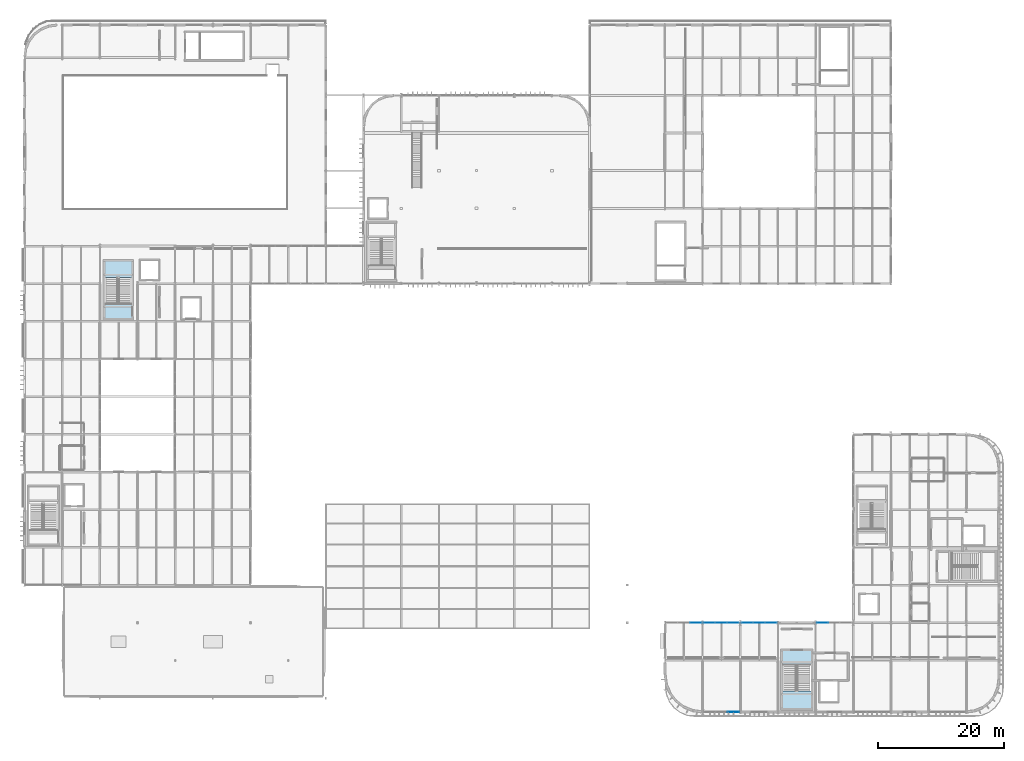
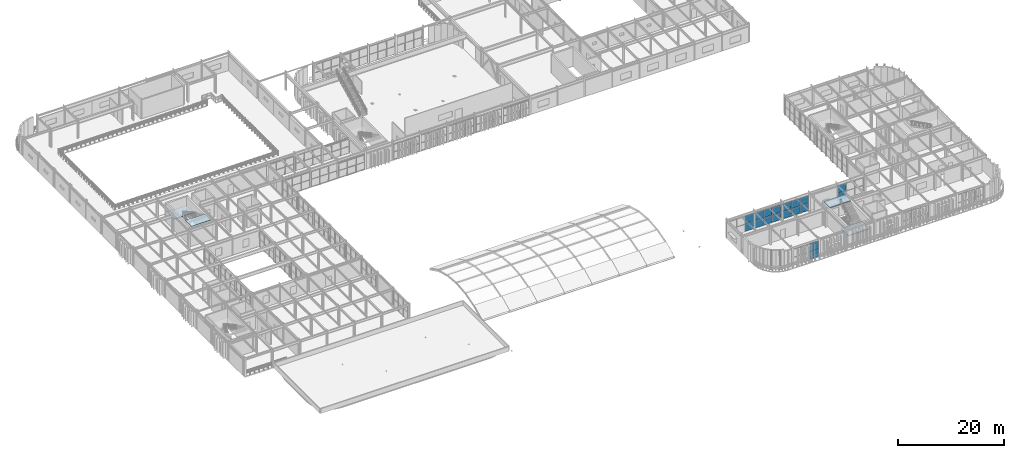
# One storey, part 48 of 84: 18 plates, 4 slabs, 7 elements without a shape of their own.
"""IFC4 building model written with IfcOpenShell, lengths in metres."""

from ifc_helpers import new_model, si_unit, direction, frame, origin, origin_2d, place, context, subcontext, project, spatial, polyline, rectangle, outline, extrude, material, layer, layer_set, type_object, element, aggregate, save


model = new_model("IFC4")

# Units and contexts
model_context = context("Model", 3, precision=1e-05, world=origin(), true_north=direction((0.0, 1.0)))
body_context = subcontext(model_context, "Body", "Model", "MODEL_VIEW")
ifc_project = project(units=[si_unit("LENGTHUNIT", "METRE"), si_unit("AREAUNIT", "SQUARE_METRE"), si_unit("VOLUMEUNIT", "CUBIC_METRE"), si_unit("PLANEANGLEUNIT", "RADIAN"), si_unit("MASSUNIT", "GRAM", prefix="KILO")], contexts=[model_context])

# Site, building, storey
site_placement = place(None, origin())
site = spatial("IfcSite", under=ifc_project, at=site_placement, CompositionType="ELEMENT")
building_placement = place(site_placement, origin())
building = spatial("IfcBuilding", under=site, at=building_placement, Name="Varnakota Square Police Headquarters", CompositionType="ELEMENT")
storey_placement = place(building_placement, frame((0.0, 0.0, 13.5)))
storey = spatial("IfcBuildingStorey", under=building, at=storey_placement, Name="L03", CompositionType="ELEMENT", Elevation=13.5)

# Curtain wall, plate
ifc_material_1 = material(Name="Anodised Aluminium Framing", Category="aluminium")
curtain_wall_type_1 = type_object("IfcCurtainWallType", Name="CW-SYS-D", PredefinedType="NOTDEFINED", material=ifc_material_1)
curtain_wall_1_placement = place(storey_placement, origin())
curtain_wall_1 = element("IfcCurtainWall", 1, at=curtain_wall_1_placement, inside=storey, type_object=curtain_wall_type_1, Name="Unitised curtain wall CWG-L03-083", PredefinedType="NOTDEFINED")
ifc_material_2 = material(Name="Solar-Control Laminated Double Glazing", Category="glass")
ifc_layer_1 = layer(ifc_material_2, 0.028076171875, Name="Solar-Control Laminated Double Glazing")
ifc_layer_set_1 = layer_set([ifc_layer_1], Name="Solar-Control Laminated Double Glazing")
plate_type_1 = type_object("IfcPlateType", Name="CWP-GLZ-28", PredefinedType="CURTAIN_PANEL", material=ifc_layer_set_1)
plate_1_placement = place(storey_placement, frame((133.080322265625, 15.0, 0.06494140625), z_axis=(0.0, 0.0, 1.0), x_axis=(1.0, 0.0, 0.0)))
plate_1 = element("IfcPlate", 2, at=plate_1_placement, type_object=plate_type_1, Name="CWG-L03-083 panel 1.1", PredefinedType="CURTAIN_PANEL", context=body_context, shape_type="SweptSolid", body=[
    extrude(rectangle(XDim=1.810791015625, YDim=0.028076171875, at=origin_2d()), origin(), (0.0, 0.0, 1.0), 1.697509765625),
])

curtain_wall_2_placement = place(storey_placement, origin())
curtain_wall_2 = element("IfcCurtainWall", 3, at=curtain_wall_2_placement, inside=storey, type_object=curtain_wall_type_1, Name="Unitised curtain wall CWG-L03-080", PredefinedType="NOTDEFINED")
ifc_material_3 = material(Name="Acoustic Laminated Double Glazing", Category="glass")
ifc_layer_2 = layer(ifc_material_3, 0.031982421875, Name="Acoustic Laminated Double Glazing")
ifc_layer_set_2 = layer_set([ifc_layer_2], Name="Acoustic Laminated Double Glazing")
plate_type_2 = type_object("IfcPlateType", Name="CWP-GLZ-32", PredefinedType="CURTAIN_PANEL", material=ifc_layer_set_2)
plate_2_placement = place(storey_placement, frame((112.913818359375, 15.0, 0.06494140625), z_axis=(0.0, 0.0, 1.0), x_axis=(1.0, 0.0, 0.0)))
plate_2 = element("IfcPlate", 4, at=plate_2_placement, type_object=plate_type_2, Name="CWG-L03-080 panel 3.1", PredefinedType="CURTAIN_PANEL", context=body_context, shape_type="SweptSolid", body=[
    extrude(rectangle(XDim=1.822509765625, YDim=0.031982421875, at=origin_2d()), origin(), (0.0, 0.0, 1.0), 1.74755859375),
])

curtain_wall_type_2 = type_object("IfcCurtainWallType", Name="CW-SYS-C", PredefinedType="NOTDEFINED", material=ifc_material_1)
curtain_wall_3_placement = place(storey_placement, origin())
curtain_wall_3 = element("IfcCurtainWall", 5, at=curtain_wall_3_placement, inside=storey, type_object=curtain_wall_type_2, Name="Unitised curtain wall CWG-L03-077", PredefinedType="NOTDEFINED")
ifc_material_4 = material(Name="Blast-Resistant Laminated Glazing", Category="glass")
ifc_layer_3 = layer(ifc_material_4, 0.035888671875, Name="Blast-Resistant Laminated Glazing")
ifc_layer_set_3 = layer_set([ifc_layer_3], Name="Blast-Resistant Laminated Glazing")
plate_type_3 = type_object("IfcPlateType", Name="CWP-GLZ-36", PredefinedType="CURTAIN_PANEL", material=ifc_layer_set_3)
plate_3_placement = place(storey_placement, frame((118.90283203125, 0.800048828125, 0.06494140625), z_axis=(0.0, 0.0, 1.0), x_axis=(1.0, 0.0, 0.0)))
plate_3 = element("IfcPlate", 6, at=plate_3_placement, type_object=plate_type_3, Name="CWG-L03-077 panel 3.1", PredefinedType="CURTAIN_PANEL", context=body_context, shape_type="SweptSolid", body=[
    extrude(rectangle(XDim=1.80419921875, YDim=0.035888671875, at=origin_2d()), origin(), (0.0, 0.0, 1.0), 1.822509765625),
])

# Curtain wall, plates
curtain_wall_4_placement = place(storey_placement, origin())
curtain_wall_4 = element("IfcCurtainWall", 7, at=curtain_wall_4_placement, inside=storey, type_object=curtain_wall_type_1, Name="Unitised curtain wall CWG-L03-081", PredefinedType="NOTDEFINED")
plate_4_placement = place(storey_placement, frame((115.080322265625, 15.0, 0.06494140625), z_axis=(0.0, 0.0, 1.0), x_axis=(1.0, 0.0, 0.0)))
plate_4 = element("IfcPlate", 8, at=plate_4_placement, type_object=plate_type_3, Name="CWG-L03-081 panel 1.1", PredefinedType="CURTAIN_PANEL", context=body_context, shape_type="SweptSolid", body=[
    extrude(rectangle(XDim=1.810791015625, YDim=0.035888671875, at=origin_2d()), origin(), (0.0, 0.0, 1.0), 1.697509765625),
])
plate_5_placement = place(storey_placement, frame((116.972412109375, 15.0, 0.06494140625), z_axis=(0.0, 0.0, 1.0), x_axis=(1.0, 0.0, 0.0)))
plate_5 = element("IfcPlate", 9, at=plate_5_placement, type_object=plate_type_3, Name="CWG-L03-081 panel 2.1", PredefinedType="CURTAIN_PANEL", context=body_context, shape_type="SweptSolid", body=[
    extrude(rectangle(XDim=1.84326171875, YDim=0.035888671875, at=origin_2d()), origin(), (0.0, 0.0, 1.0), 1.697509765625),
])
plate_6_placement = place(storey_placement, frame((118.864501953125, 15.0, 0.06494140625), z_axis=(0.0, 0.0, 1.0), x_axis=(1.0, 0.0, 0.0)))
plate_6 = element("IfcPlate", 10, at=plate_6_placement, type_object=plate_type_3, Name="CWG-L03-081 panel 3.1", PredefinedType="CURTAIN_PANEL", context=body_context, shape_type="SweptSolid", body=[
    extrude(rectangle(XDim=1.810791015625, YDim=0.035888671875, at=origin_2d()), origin(), (0.0, 0.0, 1.0), 1.697509765625),
])

curtain_wall_5_placement = place(storey_placement, origin())
curtain_wall_5 = element("IfcCurtainWall", 11, at=curtain_wall_5_placement, inside=storey, type_object=curtain_wall_type_1, Name="Unitised curtain wall CWG-L03-082", PredefinedType="NOTDEFINED")
ifc_material_5 = material(Name="Triple-Glazed Clean-Lab Vision Unit", Category="aluminium")
ifc_layer_4 = layer(ifc_material_5, 0.0419921875, Name="Triple-Glazed Clean-Lab Vision Unit")
ifc_layer_set_4 = layer_set([ifc_layer_4], Name="Triple-Glazed Clean-Lab Vision Unit")
plate_type_4 = type_object("IfcPlateType", Name="CWP-GLZ-42", PredefinedType="CURTAIN_PANEL", material=ifc_layer_set_4)
plate_7_placement = place(storey_placement, frame((121.132080078125, 15.0, 0.06494140625), z_axis=(0.0, 0.0, 1.0), x_axis=(1.0, 0.0, 0.0)))
plate_7 = element("IfcPlate", 12, at=plate_7_placement, type_object=plate_type_4, Name="CWG-L03-082 panel 1.1", PredefinedType="CURTAIN_PANEL", context=body_context, shape_type="SweptSolid", body=[
    extrude(rectangle(XDim=1.80419921875, YDim=0.0419921875, at=origin_2d()), origin(), (0.0, 0.0, 1.0), 1.697509765625),
])
plate_8_placement = place(storey_placement, frame((123.017578125, 15.0, 0.06494140625), z_axis=(0.0, 0.0, 1.0), x_axis=(1.0, 0.0, 0.0)))
plate_8 = element("IfcPlate", 13, at=plate_8_placement, type_object=plate_type_4, Name="CWG-L03-082 panel 2.1", PredefinedType="CURTAIN_PANEL", context=body_context, shape_type="SweptSolid", body=[
    extrude(rectangle(XDim=1.836669921875, YDim=0.0419921875, at=origin_2d()), origin(), (0.0, 0.0, 1.0), 1.697509765625),
])
plate_9_placement = place(storey_placement, frame((124.90283203125, 15.0, 0.06494140625), z_axis=(0.0, 0.0, 1.0), x_axis=(1.0, 0.0, 0.0)))
plate_9 = element("IfcPlate", 14, at=plate_9_placement, type_object=plate_type_4, Name="CWG-L03-082 panel 3.1", PredefinedType="CURTAIN_PANEL", context=body_context, shape_type="SweptSolid", body=[
    extrude(rectangle(XDim=1.80419921875, YDim=0.0419921875, at=origin_2d()), origin(), (0.0, 0.0, 1.0), 1.697509765625),
])

# Plate
ifc_material_6 = material(Name="Insulated Anodised Aluminium Spandrel Panel", Category="aluminium")
ifc_layer_5 = layer(ifc_material_6, 0.050048828125, Name="Insulated Anodised Aluminium Spandrel Panel")
ifc_layer_set_5 = layer_set([ifc_layer_5], Name="Insulated Anodised Aluminium Spandrel Panel")
plate_type_5 = type_object("IfcPlateType", Name="CWP-SPN-50", PredefinedType="CURTAIN_PANEL", material=ifc_layer_set_5)
plate_10_placement = place(storey_placement, frame((118.90283203125, 0.800048828125, 1.95263671875), z_axis=(0.0, 0.0, 1.0), x_axis=(1.0, 0.0, 0.0)))
plate_10 = element("IfcPlate", 15, at=plate_10_placement, type_object=plate_type_5, Name="CWG-L03-077 panel 3.2", PredefinedType="CURTAIN_PANEL", context=body_context, shape_type="SweptSolid", body=[
    extrude(rectangle(XDim=1.80419921875, YDim=0.050048828125, at=origin_2d()), origin(), (0.0, 0.0, 1.0), 1.822509765625),
])

aggregate(curtain_wall_3, [plate_3, plate_10])

plate_11_placement = place(storey_placement, frame((115.080322265625, 15.0, 1.82763671875), z_axis=(0.0, 0.0, 1.0), x_axis=(1.0, 0.0, 0.0)))
plate_11 = element("IfcPlate", 16, at=plate_11_placement, type_object=plate_type_5, Name="CWG-L03-081 panel 1.2", PredefinedType="CURTAIN_PANEL", context=body_context, shape_type="SweptSolid", body=[
    extrude(rectangle(XDim=1.810791015625, YDim=0.050048828125, at=origin_2d()), origin(), (0.0, 0.0, 1.0), 1.697509765625),
])

plate_12_placement = place(storey_placement, frame((116.972412109375, 15.0, 1.82763671875), z_axis=(0.0, 0.0, 1.0), x_axis=(1.0, 0.0, 0.0)))
plate_12 = element("IfcPlate", 17, at=plate_12_placement, type_object=plate_type_5, Name="CWG-L03-081 panel 2.2", PredefinedType="CURTAIN_PANEL", context=body_context, shape_type="SweptSolid", body=[
    extrude(rectangle(XDim=1.84326171875, YDim=0.050048828125, at=origin_2d()), origin(), (0.0, 0.0, 1.0), 1.697509765625),
])

plate_13_placement = place(storey_placement, frame((118.864501953125, 15.0, 1.82763671875), z_axis=(0.0, 0.0, 1.0), x_axis=(1.0, 0.0, 0.0)))
plate_13 = element("IfcPlate", 18, at=plate_13_placement, type_object=plate_type_5, Name="CWG-L03-081 panel 3.2", PredefinedType="CURTAIN_PANEL", context=body_context, shape_type="SweptSolid", body=[
    extrude(rectangle(XDim=1.810791015625, YDim=0.050048828125, at=origin_2d()), origin(), (0.0, 0.0, 1.0), 1.697509765625),
])

aggregate(curtain_wall_4, [plate_4, plate_11, plate_5, plate_12, plate_6, plate_13])

plate_14_placement = place(storey_placement, frame((133.080322265625, 15.0, 1.82763671875), z_axis=(0.0, 0.0, 1.0), x_axis=(1.0, 0.0, 0.0)))
plate_14 = element("IfcPlate", 19, at=plate_14_placement, type_object=plate_type_5, Name="CWG-L03-083 panel 1.2", PredefinedType="CURTAIN_PANEL", context=body_context, shape_type="SweptSolid", body=[
    extrude(rectangle(XDim=1.810791015625, YDim=0.050048828125, at=origin_2d()), origin(), (0.0, 0.0, 1.0), 1.697509765625),
])

aggregate(curtain_wall_1, [plate_1, plate_14])

ifc_material_7 = material(Name="Fire-Stopped Mineral-Wool Spandrel Panel", Category="aluminium")
ifc_layer_6 = layer(ifc_material_7, 0.06005859375, Name="Fire-Stopped Mineral-Wool Spandrel Panel")
ifc_layer_set_6 = layer_set([ifc_layer_6], Name="Fire-Stopped Mineral-Wool Spandrel Panel")
plate_type_6 = type_object("IfcPlateType", Name="CWP-SPN-60", PredefinedType="CURTAIN_PANEL", material=ifc_layer_set_6)
plate_15_placement = place(storey_placement, frame((112.913818359375, 15.0, 1.87744140625), z_axis=(0.0, 0.0, 1.0), x_axis=(1.0, 0.0, 0.0)))
plate_15 = element("IfcPlate", 20, at=plate_15_placement, type_object=plate_type_6, Name="CWG-L03-080 panel 3.2", PredefinedType="CURTAIN_PANEL", context=body_context, shape_type="SweptSolid", body=[
    extrude(rectangle(XDim=1.822509765625, YDim=0.06005859375, at=origin_2d()), origin(), (0.0, 0.0, 1.0), 1.74755859375),
])

aggregate(curtain_wall_2, [plate_2, plate_15])

plate_16_placement = place(storey_placement, frame((121.132080078125, 15.0, 1.82763671875), z_axis=(0.0, 0.0, 1.0), x_axis=(1.0, 0.0, 0.0)))
plate_16 = element("IfcPlate", 21, at=plate_16_placement, type_object=plate_type_6, Name="CWG-L03-082 panel 1.2", PredefinedType="CURTAIN_PANEL", context=body_context, shape_type="SweptSolid", body=[
    extrude(rectangle(XDim=1.80419921875, YDim=0.06005859375, at=origin_2d()), origin(), (0.0, 0.0, 1.0), 1.697509765625),
])

plate_17_placement = place(storey_placement, frame((123.017578125, 15.0, 1.82763671875), z_axis=(0.0, 0.0, 1.0), x_axis=(1.0, 0.0, 0.0)))
plate_17 = element("IfcPlate", 22, at=plate_17_placement, type_object=plate_type_6, Name="CWG-L03-082 panel 2.2", PredefinedType="CURTAIN_PANEL", context=body_context, shape_type="SweptSolid", body=[
    extrude(rectangle(XDim=1.836669921875, YDim=0.06005859375, at=origin_2d()), origin(), (0.0, 0.0, 1.0), 1.697509765625),
])

plate_18_placement = place(storey_placement, frame((124.90283203125, 15.0, 1.82763671875), z_axis=(0.0, 0.0, 1.0), x_axis=(1.0, 0.0, 0.0)))
plate_18 = element("IfcPlate", 23, at=plate_18_placement, type_object=plate_type_6, Name="CWG-L03-082 panel 3.2", PredefinedType="CURTAIN_PANEL", context=body_context, shape_type="SweptSolid", body=[
    extrude(rectangle(XDim=1.80419921875, YDim=0.06005859375, at=origin_2d()), origin(), (0.0, 0.0, 1.0), 1.697509765625),
])

aggregate(curtain_wall_5, [plate_7, plate_16, plate_8, plate_17, plate_9, plate_18])

# Stair, slabs
ifc_material_8 = material(Name="Concrete M40", Category="concrete")
stair_type_1 = type_object("IfcStairType", Name="STR-DOG-1850", PredefinedType="USERDEFINED", material=ifc_material_8)
stair_1_placement = place(storey_placement, origin())
stair_1 = element("IfcStair", 24, at=stair_1_placement, inside=storey, type_object=stair_type_1, Name="Protected exit stair ST5 (L03)", ObjectType="TWO_RETURN_STAIR", PredefinedType="USERDEFINED")
ifc_layer_7 = layer(ifc_material_8, 0.157958984375, Name="Concrete M40")
ifc_layer_set_7 = layer_set([ifc_layer_7], Name="Concrete M40")
slab_type_1 = type_object("IfcSlabType", Name="SLB-LND-1850", PredefinedType="LANDING", material=ifc_layer_set_7)
slab_1_placement = place(storey_placement, frame((0.0, 0.0, 2.092041015625)))
slab_1 = element("IfcSlab", 25, at=slab_1_placement, type_object=slab_type_1, Name="ST5-L03 landing 1", PredefinedType="LANDING", context=body_context, shape_type="SweptSolid", body=[
    extrude(outline(polyline([(18.760009765625, 69.95068359375), (23.139892578125, 69.95068359375), (23.139892578125, 72.639892578125), (18.760009765625, 72.639892578125), (18.760009765625, 69.95068359375)])), origin(), (0.0, 0.0, 1.0), 0.157958984375),
])
slab_2_placement = place(storey_placement, frame((0.0, 0.0, 4.342041015625)))
slab_2 = element("IfcSlab", 26, at=slab_2_placement, type_object=slab_type_1, Name="ST5-L03 landing 2", PredefinedType="LANDING", context=body_context, shape_type="SweptSolid", body=[
    extrude(outline(polyline([(18.760009765625, 63.4599609375), (23.139892578125, 63.4599609375), (23.139892578125, 65.75), (18.760009765625, 65.75), (18.760009765625, 63.4599609375)])), origin(), (0.0, 0.0, 1.0), 0.157958984375),
])
aggregate(stair_1, [slab_1, slab_2])

stair_type_2 = type_object("IfcStairType", Name="STR-DOG-2000", PredefinedType="USERDEFINED", material=ifc_material_8)
stair_2_placement = place(storey_placement, origin())
stair_2 = element("IfcStair", 27, at=stair_2_placement, inside=storey, type_object=stair_type_2, Name="Protected exit stair ST1 (L03)", ObjectType="TWO_RETURN_STAIR", PredefinedType="USERDEFINED")
ifc_layer_8 = layer(ifc_material_8, 0.166015625, Name="Concrete M40")
ifc_layer_set_8 = layer_set([ifc_layer_8], Name="Concrete M40")
slab_type_2 = type_object("IfcSlabType", Name="SLB-LND-2000", PredefinedType="LANDING", material=ifc_layer_set_8)
slab_3_placement = place(storey_placement, frame((0.0, 0.0, 2.083984375)))
slab_3 = element("IfcSlab", 28, at=slab_3_placement, type_object=slab_type_2, Name="ST1-L03 landing 1", PredefinedType="LANDING", context=body_context, shape_type="SweptSolid", body=[
    extrude(outline(polyline([(126.659912109375, 1.31005859375), (131.340087890625, 1.31005859375), (131.340087890625, 4.099365234375), (126.659912109375, 4.099365234375), (126.659912109375, 1.31005859375)])), origin(), (0.0, 0.0, 1.0), 0.166015625),
])
slab_4_placement = place(storey_placement, frame((0.0, 0.0, 4.333984375)))
slab_4 = element("IfcSlab", 29, at=slab_4_placement, type_object=slab_type_2, Name="ST1-L03 landing 2", PredefinedType="LANDING", context=body_context, shape_type="SweptSolid", body=[
    extrude(outline(polyline([(126.659912109375, 8.300048828125), (131.340087890625, 8.300048828125), (131.340087890625, 10.590087890625), (126.659912109375, 10.590087890625), (126.659912109375, 8.300048828125)])), origin(), (0.0, 0.0, 1.0), 0.166015625),
])
aggregate(stair_2, [slab_3, slab_4])

save(model, "model.ifc")
